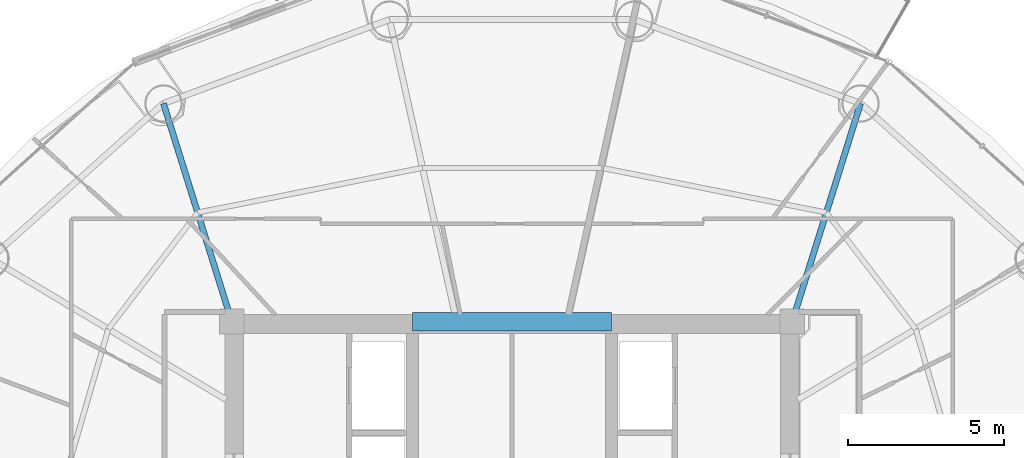
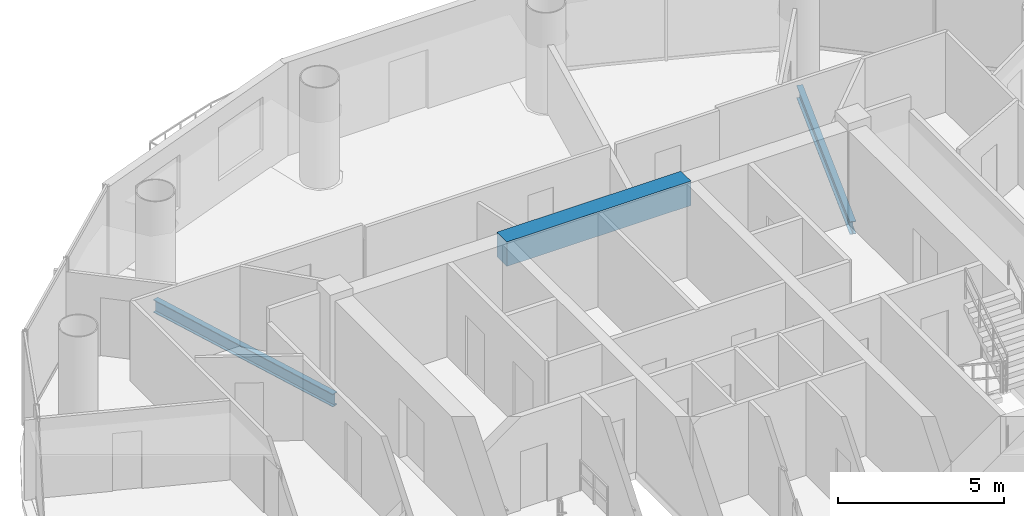
# One storey, part 9 of 26: 3 beams.
"""IFC4 building model written with IfcOpenShell, lengths in metres."""

import ifcopenshell
import ifcopenshell.guid

model = None  # the IFC model being written
_history = None  # IfcOwnerHistory: only IFC2X3 demands one
_inside = {}  # id of a spatial element -> (the spatial element, [elements in it])
_under = {}  # id of a project, library or spatial element -> (it, [spatial elements below it])
_declared = {}  # id of a project -> (the project, [libraries it declares])
_typed = {}  # id of a type object -> (the type object, [elements of that type])
_made_of = {}  # id of a material, layer set ... -> (it, [elements and type objects made of it])


def new_model(schema):
    """Start an empty IFC model of exactly this schema.

    Asked for "IFC4X3", IfcOpenShell would pick the latest addendum, in which some entities
    have other attributes; the version numbers below select the first issue.
    IFC2X3 requires an IfcOwnerHistory on every rooted entity: one is made here for all.
    """
    global model, _history
    if schema == "IFC4X3":
        model = ifcopenshell.file(schema_version=(4, 3, 0, 0))
    else:
        model = ifcopenshell.file(schema=schema)
    _inside.clear()
    _under.clear()
    _declared.clear()
    _typed.clear()
    _made_of.clear()
    _history = None
    if model.schema == "IFC2X3":
        org = make("IfcOrganization", Name="unknown")
        user = make(
            "IfcPersonAndOrganization",
            ThePerson=make("IfcPerson", FamilyName="unknown"),
            TheOrganization=org,
        )
        app = make(
            "IfcApplication",
            ApplicationDeveloper=org,
            Version="unknown",
            ApplicationFullName="unknown",
            ApplicationIdentifier="unknown",
        )
        _history = make(
            "IfcOwnerHistory",
            OwningUser=user,
            OwningApplication=app,
            ChangeAction="ADDED",
            CreationDate=0,
        )
    return model


def make(cls, **values):
    """One entity of the class cls with the attributes given. An attribute that is None is left unset."""
    return model.create_entity(
        cls, **{name: value for name, value in values.items() if value is not None}
    )


def rooted(cls, **values):
    """An entity with a GlobalId (a new one), such as an element, a storey or a relation."""
    return make(cls, GlobalId=ifcopenshell.guid.new(), OwnerHistory=_history, **values)


def si_unit(unit_type, name, prefix=None):
    """IfcSIUnit, for example si_unit("LENGTHUNIT", "METRE", prefix="MILLI")."""
    return make("IfcSIUnit", UnitType=unit_type, Prefix=prefix, Name=name)


def assignment(units):
    """IfcUnitAssignment: the units of a project."""
    return None if units is None else make("IfcUnitAssignment", Units=units)


def point(xyz):
    """IfcCartesianPoint."""
    return None if xyz is None else make("IfcCartesianPoint", Coordinates=xyz)


def direction(xyz):
    """IfcDirection."""
    return None if xyz is None else make("IfcDirection", DirectionRatios=xyz)


def frame(location, z_axis=None, x_axis=None):
    """IfcAxis2Placement3D, a coordinate frame: its origin and axes. An axis left out is left unset."""
    return make(
        "IfcAxis2Placement3D",
        Location=point(location),
        Axis=direction(z_axis),
        RefDirection=direction(x_axis),
    )


def frame_2d(location, x_axis=None):
    """IfcAxis2Placement2D, a coordinate frame in the plane: its origin and x axis."""
    return make(
        "IfcAxis2Placement2D", Location=point(location), RefDirection=direction(x_axis)
    )


def origin():
    """The frame at (0, 0, 0) with its axes left unset."""
    return frame((0.0, 0.0, 0.0))


def origin_2d():
    """The frame at (0, 0) in the plane with its x axis left unset."""
    return frame_2d((0.0, 0.0))


def place(relative_to, where):
    """IfcLocalPlacement: puts the frame where relative to a parent placement (None: the world)."""
    return make(
        "IfcLocalPlacement", PlacementRelTo=relative_to, RelativePlacement=where
    )


def context(
    kind, dimensions, precision=None, world=None, true_north=None, identifier=None
):
    """IfcGeometricRepresentationContext, for example the 3D "Model" context."""
    return make(
        "IfcGeometricRepresentationContext",
        ContextIdentifier=identifier,
        ContextType=kind,
        CoordinateSpaceDimension=dimensions,
        Precision=precision,
        WorldCoordinateSystem=world,
        TrueNorth=true_north,
    )


def subcontext(parent, identifier, kind, view, scale=None):
    """IfcGeometricRepresentationSubContext, for example "Body" below "Model"."""
    return make(
        "IfcGeometricRepresentationSubContext",
        ContextIdentifier=identifier,
        ContextType=kind,
        ParentContext=parent,
        TargetScale=scale,
        TargetView=view,
    )


def project(units=None, contexts=None):
    """IfcProject with its units and contexts."""
    return rooted(
        "IfcProject",
        Name="project",
        RepresentationContexts=contexts,
        UnitsInContext=assignment(units),
    )


def spatial(cls, under=None, at=None, **own):
    """A site, building, storey or space (cls), placed at a placement, below another one or the project."""
    s = rooted(cls, ObjectPlacement=at, **own)
    if under is not None:
        _under.setdefault(under.id(), (under, []))[1].append(s)
    return s


def profile(cls, at=None, kind="AREA", **sizes):
    """A parametric profile (cls). Its sizes go by their IFC names, for example OverallWidth=200.0."""
    return make(cls, ProfileType=kind, Position=at, **sizes)


def rectangle(**sizes):
    """IfcRectangleProfileDef."""
    return profile("IfcRectangleProfileDef", **sizes)


def i_section(**sizes):
    """IfcIShapeProfileDef."""
    return profile("IfcIShapeProfileDef", **sizes)


def extrude(swept, where, along, depth):
    """IfcExtrudedAreaSolid: the profile swept, set in the frame where, extruded along a direction by depth."""
    return make(
        "IfcExtrudedAreaSolid",
        SweptArea=swept,
        Position=where,
        ExtrudedDirection=direction(along),
        Depth=depth,
    )


def shape(context_of_items, identifier, shape_type, items):
    """IfcShapeRepresentation: the items that make up one representation, for example the "Body"."""
    return make(
        "IfcShapeRepresentation",
        ContextOfItems=context_of_items,
        RepresentationIdentifier=identifier,
        RepresentationType=shape_type,
        Items=items,
    )


def material(Name=None, Category=None):
    """IfcMaterial."""
    return make("IfcMaterial", Name=Name, Category=Category)


def material_profile(
    of_material, cross_section, Name=None, Category=None, Priority=None
):
    """IfcMaterialProfile: a cross section and its material."""
    return make(
        "IfcMaterialProfile",
        Name=Name,
        Material=of_material,
        Profile=cross_section,
        Priority=Priority,
        Category=Category,
    )


def profile_set(profiles, Name=None, composite=None):
    """IfcMaterialProfileSet."""
    return make(
        "IfcMaterialProfileSet",
        Name=Name,
        MaterialProfiles=profiles,
        CompositeProfile=composite,
    )


def made_of(thing, what):
    """Note that an element or type object is made of a material, layer set ...; save() writes the relation."""
    if what is not None:
        _made_of.setdefault(what.id(), (what, []))[1].append(thing)
    return thing


def type_object(cls, material=None, **own):
    """A type object (cls), such as IfcWallType, which elements share."""
    return made_of(rooted(cls, **own), material)


def element(
    cls,
    number,
    at=None,
    inside=None,
    cuts=None,
    type_object=None,
    material=None,
    context=None,
    identifier="Body",
    shape_type=None,
    held_by="IfcProductDefinitionShape",
    body=None,
    shapes=None,
    **own,
):
    """One element of the class cls, such as IfcWall. Its Tag is "e" and its number.

    at: its placement. inside: the storey or other place that contains it. cuts: it is an
    opening in that element (IfcRelVoidsElement). A single representation is given by context,
    identifier, shape_type and body (its items); several are given by shapes. held_by: the class
    of the entity that holds the representations. save() writes the other relations.
    """
    e = rooted(cls, Tag="e%d" % number, ObjectPlacement=at, **own)
    if body is not None:
        shapes = [shape(context, identifier, shape_type, body)]
    if shapes is not None:
        e.Representation = make(held_by, Representations=shapes)
    if inside is not None:
        _inside.setdefault(inside.id(), (inside, []))[1].append(e)
    if cuts is not None:
        rooted(
            "IfcRelVoidsElement", RelatingBuildingElement=cuts, RelatedOpeningElement=e
        )
    if type_object is not None:
        _typed.setdefault(type_object.id(), (type_object, []))[1].append(e)
    return made_of(e, material)


def aggregate(whole, parts):
    """IfcRelAggregates: a whole, such as a stair, and the parts it consists of."""
    return rooted("IfcRelAggregates", RelatingObject=whole, RelatedObjects=parts)


def save(model, path):
    """Write the relations noted so far, then the file.

    IfcRelAggregates (storeys below a building ...), IfcRelContainedInSpatialStructure (elements
    in a storey), IfcRelDefinesByType, IfcRelAssociatesMaterial and IfcRelDeclares: one each for
    every whole, place, type object, material and project.
    """
    for whole, parts in _under.values():
        aggregate(whole, parts)
    for where, things in _inside.values():
        rooted(
            "IfcRelContainedInSpatialStructure",
            RelatedElements=things,
            RelatingStructure=where,
        )
    for kind, things in _typed.values():
        rooted("IfcRelDefinesByType", RelatedObjects=things, RelatingType=kind)
    for what, things in _made_of.values():
        rooted("IfcRelAssociatesMaterial", RelatedObjects=things, RelatingMaterial=what)
    for by, libraries in _declared.values():
        rooted("IfcRelDeclares", RelatingContext=by, RelatedDefinitions=libraries)
    model.write(path)


model = new_model("IFC4")

# Units and contexts
model_context = context("Model", 3, precision=1e-05, world=origin(), true_north=direction((-0.2419218956, 0.970295726276)))
body_context = subcontext(model_context, "Body", "Model", "MODEL_VIEW")
ifc_project = project(units=[si_unit("LENGTHUNIT", "METRE"), si_unit("AREAUNIT", "SQUARE_METRE"), si_unit("VOLUMEUNIT", "CUBIC_METRE"), si_unit("PLANEANGLEUNIT", "RADIAN"), si_unit("MASSUNIT", "GRAM", prefix="KILO")], contexts=[model_context])

# Site, building, storey
site_placement = place(None, origin())
site = spatial("IfcSite", under=ifc_project, at=site_placement, CompositionType="ELEMENT")
building_placement = place(site_placement, origin())
building = spatial("IfcBuilding", under=site, at=building_placement, Name="Cobrevalo Terracotta Tower", CompositionType="ELEMENT")
storey_placement = place(building_placement, frame((0.0, 0.0, 235.60009765625)))
storey = spatial("IfcBuildingStorey", under=building, at=storey_placement, Name="L62", CompositionType="ELEMENT", Elevation=235.60009765625)

# Beams
ifc_material_1 = material(Name="Concrete C60", Category="concrete")
ifc_material_profile_1 = material_profile(ifc_material_1, rectangle(XDim=0.60009765625, YDim=0.89990234375, at=origin_2d()), Name="RC CB 600x900")
ifc_profile_set_1 = profile_set([ifc_material_profile_1], Name="Concrete C60")
beam_type_1 = type_object("IfcBeamType", Name="Structural Beam RC CB 600x900 (Concrete C60)", PredefinedType="BEAM", material=ifc_profile_set_1)
beam_placement = place(storey_placement, frame((34.800048828125, 34.800048828125, 2.98486328125), z_axis=(1.0, 0.0, 0.0), x_axis=(0.0, 1.0, 0.0)))
element("IfcBeam", 1, at=beam_placement, inside=storey, type_object=beam_type_1, Name="L62 core coupling beam 2", PredefinedType="BEAM", context=body_context, shape_type="SweptSolid", body=[
    extrude(rectangle(XDim=0.60009765625, YDim=0.89990234375, at=origin_2d()), origin(), (0.0, 0.0, 1.0), 6.39990234375),
])
ifc_material_2 = material(Name="Steel S355", Category="steel")
ifc_material_profile_2 = material_profile(ifc_material_2, i_section(OverallWidth=0.194091796875, OverallDepth=0.468994140625, WebThickness=0.011474609375, FlangeThickness=0.0205078125, at=origin_2d()), Name="W 460x106")
ifc_profile_set_2 = profile_set([ifc_material_profile_2], Name="Steel S355")
beam_type_2 = type_object("IfcBeamType", Name="Structural Beam W 460x106 (Steel S355)", PredefinedType="BEAM", material=ifc_profile_set_2)
for number, where, z_axis, x_axis, name in (
    (2, (49.19482421875, 41.80810546875, -0.49951171875), (-0.298871212691, -0.954293454984, 0.0), (0.954293454984, -0.298871212691, 0.0), "L62 radial floor girder 03"),
    (3, (26.80517578125, 41.80810546875, -0.49951171875), (0.298871212691, -0.954293454984, 0.0), (0.954293454984, 0.298871212691, 0.0), "L62 radial floor girder 06"),
):
    element("IfcBeam", number, at=place(storey_placement, frame(where, z_axis=z_axis, x_axis=x_axis)), inside=storey, type_object=beam_type_2, Name=name, PredefinedType="BEAM", context=body_context, shape_type="SweptSolid", body=[
        extrude(i_section(OverallWidth=0.194091796875, OverallDepth=0.468994140625, WebThickness=0.011474609375, FlangeThickness=0.0205078125, at=origin_2d()), origin(), (0.0, 0.0, 1.0), 7.34375),
    ])

save(model, "model.ifc")
